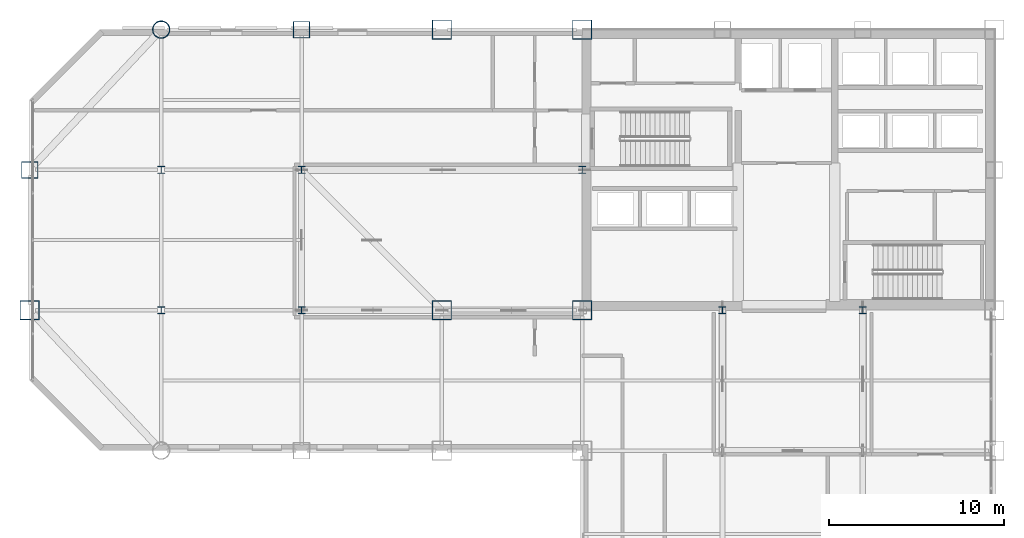
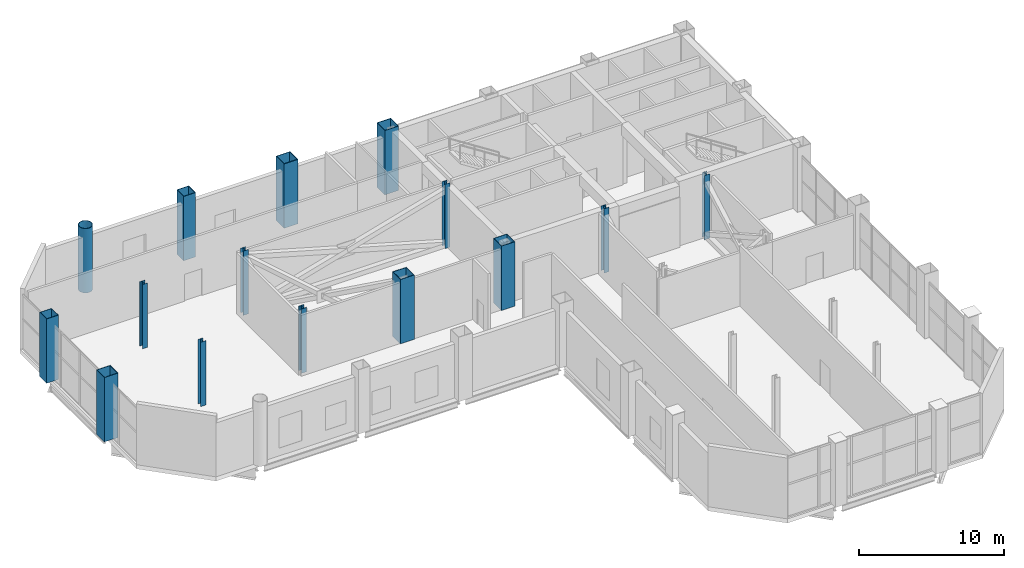
# One storey, part 3 of 24: 15 columns.
"""IFC4 building model written with IfcOpenShell, lengths in metres."""

from ifc_helpers import new_model, si_unit, direction, frame, origin, origin_2d, place, context, subcontext, project, spatial, hollow_rectangle, hollow_circle, i_section, extrude, material, material_profile, profile_set, type_object, element, save


model = new_model("IFC4")

# Units and contexts
model_context = context("Model", 3, precision=1e-05, world=origin(), true_north=direction((0.0, 1.0)))
body_context = subcontext(model_context, "Body", "Model", "MODEL_VIEW")
ifc_project = project(units=[si_unit("LENGTHUNIT", "METRE"), si_unit("AREAUNIT", "SQUARE_METRE"), si_unit("VOLUMEUNIT", "CUBIC_METRE"), si_unit("PLANEANGLEUNIT", "RADIAN"), si_unit("MASSUNIT", "GRAM", prefix="KILO")], contexts=[model_context])

# Site, building, storey
site_placement = place(None, origin())
site = spatial("IfcSite", under=ifc_project, at=site_placement, CompositionType="ELEMENT")
building_placement = place(site_placement, origin())
building = spatial("IfcBuilding", under=site, at=building_placement, Name="Qianrong Seaharbour Tower", CompositionType="ELEMENT")
storey_placement = place(building_placement, frame((0.0, 0.0, 195.0)))
storey = spatial("IfcBuildingStorey", under=building, at=storey_placement, Name="L47", CompositionType="ELEMENT", Elevation=195.0)

# Columns
ifc_material = material(Name="Structural steel SN490B", Category="steel")
ifc_material_profile_1 = material_profile(ifc_material, hollow_rectangle(XDim=1.10009765625, YDim=1.10009765625, WallThickness=0.0400390625, at=origin_2d()), Name="BOX1100x1100x40")
ifc_profile_set_1 = profile_set([ifc_material_profile_1], Name="Structural steel SN490B")
column_type_1 = type_object("IfcColumnType", Name="COL-CFT-1100", PredefinedType="COLUMN", material=ifc_profile_set_1)
for number, where, z_axis, x_axis, name in (
    (1, (9.0, 36.0, 0.0), (0.0, 0.0, 1.0), (1.0, 0.0, 0.0), "L47 Column MC-3 at G2/GF"),
    (2, (32.5, 36.0, 0.0), (0.0, 0.0, 1.0), (1.0, 0.0, 0.0), "L47 Column MC-3 at G5/GF"),
    (3, (32.5, 52.0, 0.0), (0.0, 0.0, 1.0), (1.0, 0.0, 0.0), "L47 Column MC-3 at G5/GH"),
    (4, (40.5, 36.0, 0.0), (0.0, 0.0, 1.0), (1.0, 0.0, 0.0), "L47 Column MC-3 at G6/GF"),
    (5, (40.5, 52.0, 0.0), (0.0, 0.0, 1.0), (1.0, 0.0, 0.0), "L47 Column MC-3 at G6/GH"),
):
    element("IfcColumn", number, at=place(storey_placement, frame(where, z_axis=z_axis, x_axis=x_axis)), inside=storey, type_object=column_type_1, Name=name, PredefinedType="COLUMN", context=body_context, shape_type="SweptSolid", body=[
        extrude(hollow_rectangle(XDim=1.10009765625, YDim=1.10009765625, WallThickness=0.0400390625, at=origin_2d()), origin(), (0.0, 0.0, 1.0), 5.39990234375),
    ])
ifc_material_profile_2 = material_profile(ifc_material, hollow_circle(Radius=0.5, WallThickness=0.035888671875, at=origin_2d()), Name="CHS1000x36")
ifc_profile_set_2 = profile_set([ifc_material_profile_2], Name="Structural steel SN490B")
column_type_2 = type_object("IfcColumnType", Name="COL-CHS-1000", PredefinedType="COLUMN", material=ifc_profile_set_2)
column_placement = place(storey_placement, frame((16.5, 52.0, 0.0), z_axis=(0.0, 0.0, 1.0), x_axis=(1.0, 0.0, 0.0)))
element("IfcColumn", 6, at=column_placement, inside=storey, type_object=column_type_2, Name="L47 Column CC-2 at G3/GH", PredefinedType="COLUMN", context=body_context, shape_type="SweptSolid", body=[
    extrude(hollow_circle(Radius=0.5, WallThickness=0.035888671875, at=origin_2d()), origin(), (0.0, 0.0, 1.0), 5.39990234375),
])
ifc_material_profile_3 = material_profile(ifc_material, i_section(OverallWidth=0.39990234375, OverallDepth=0.39990234375, WebThickness=0.012939453125, FlangeThickness=0.02099609375, FilletRadius=0.02197265625, at=origin_2d()), Name="H400x400x13x21")
ifc_profile_set_3 = profile_set([ifc_material_profile_3], Name="Structural steel SN490B")
column_type_3 = type_object("IfcColumnType", Name="COL-INT-H400", PredefinedType="COLUMN", material=ifc_profile_set_3)
for number, where, z_axis, x_axis, name in (
    (7, (16.5, 36.0, 0.0), (0.0, 0.0, 1.0), (1.0, 0.0, 0.0), "L47 Column IC-3 at G3/GF"),
    (8, (16.5, 44.0, 0.0), (0.0, 0.0, 1.0), (1.0, 0.0, 0.0), "L47 Column IC-3 at G3/GG"),
    (9, (24.5, 36.0, 0.0), (0.0, 0.0, 1.0), (1.0, 0.0, 0.0), "L47 Column IC-3 at G4/GF"),
    (10, (24.5, 44.0, 0.0), (0.0, 0.0, 1.0), (1.0, 0.0, 0.0), "L47 Column IC-3 at G4/GG"),
    (11, (40.5, 44.0, 0.0), (0.0, 0.0, 1.0), (1.0, 0.0, 0.0), "L47 Column IC-3 at G6/GG"),
    (12, (48.5, 36.0, 0.0), (0.0, 0.0, 1.0), (1.0, 0.0, 0.0), "L47 Column IC-3 at G7/GF"),
    (13, (56.5, 36.0, 0.0), (0.0, 0.0, 1.0), (1.0, 0.0, 0.0), "L47 Column IC-3 at G8/GF"),
):
    element("IfcColumn", number, at=place(storey_placement, frame(where, z_axis=z_axis, x_axis=x_axis)), inside=storey, type_object=column_type_3, Name=name, PredefinedType="COLUMN", context=body_context, shape_type="SweptSolid", body=[
        extrude(i_section(OverallWidth=0.39990234375, OverallDepth=0.39990234375, WebThickness=0.012939453125, FlangeThickness=0.02099609375, FilletRadius=0.02197265625, at=origin_2d()), origin(), (0.0, 0.0, 1.0), 5.39990234375),
    ])
ifc_material_profile_4 = material_profile(ifc_material, hollow_rectangle(XDim=0.949951171875, YDim=0.949951171875, WallThickness=0.035888671875, at=origin_2d()), Name="BOX950x950x36")
ifc_profile_set_4 = profile_set([ifc_material_profile_4], Name="Structural steel SN490B")
column_type_4 = type_object("IfcColumnType", Name="COL-PER-950", PredefinedType="COLUMN", material=ifc_profile_set_4)
for number, where, z_axis, x_axis, name in (
    (14, (9.0, 44.0, 0.0), (0.0, 0.0, 1.0), (1.0, 0.0, 0.0), "L47 Column PC-2 at G2/GG"),
    (15, (24.5, 52.0, 0.0), (0.0, 0.0, 1.0), (1.0, 0.0, 0.0), "L47 Column PC-2 at G4/GH"),
):
    element("IfcColumn", number, at=place(storey_placement, frame(where, z_axis=z_axis, x_axis=x_axis)), inside=storey, type_object=column_type_4, Name=name, PredefinedType="COLUMN", context=body_context, shape_type="SweptSolid", body=[
        extrude(hollow_rectangle(XDim=0.949951171875, YDim=0.949951171875, WallThickness=0.035888671875, at=origin_2d()), origin(), (0.0, 0.0, 1.0), 5.39990234375),
    ])

save(model, "model.ifc")
